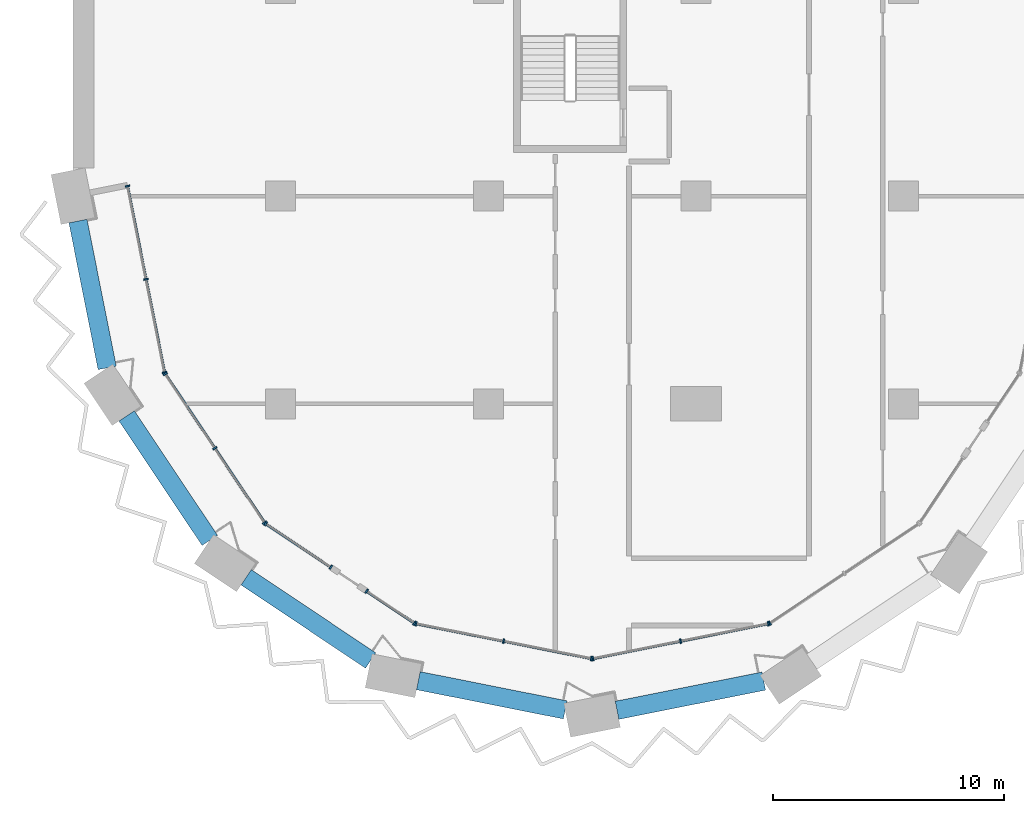
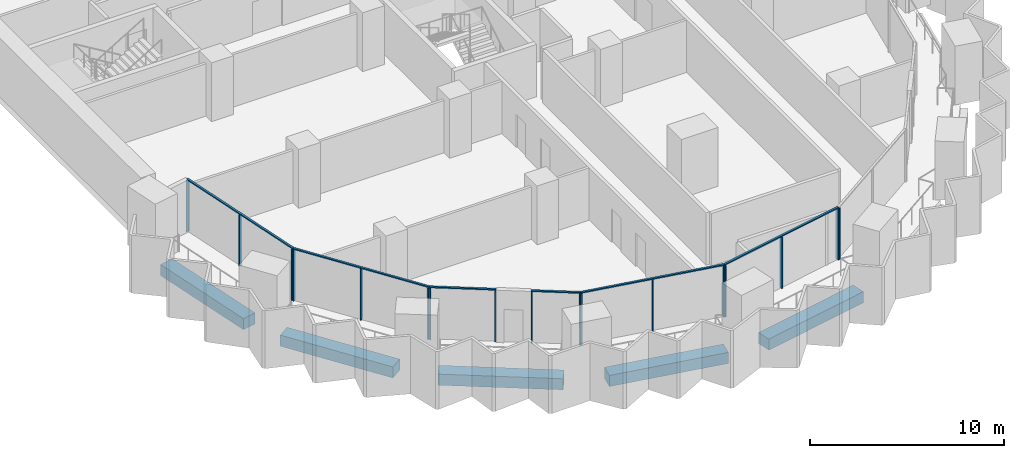
# One storey, part 2 of 23: 23 members, 5 beams, 7 elements without a shape of their own.
"""IFC4 building model written with IfcOpenShell, lengths in metres."""

from ifc_helpers import new_model, si_unit, direction, frame, origin, origin_2d, place, context, subcontext, project, spatial, rectangle, extrude, material, material_profile, profile_set, type_object, element, aggregate, save


model = new_model("IFC4")

# Units and contexts
model_context = context("Model", 3, precision=1e-05, world=origin(), true_north=direction((0.0, 1.0)))
body_context = subcontext(model_context, "Body", "Model", "MODEL_VIEW")
ifc_project = project(units=[si_unit("LENGTHUNIT", "METRE"), si_unit("AREAUNIT", "SQUARE_METRE"), si_unit("VOLUMEUNIT", "CUBIC_METRE"), si_unit("PLANEANGLEUNIT", "RADIAN"), si_unit("MASSUNIT", "GRAM", prefix="KILO")], contexts=[model_context])

# Site, building, storey
site_placement = place(None, origin())
site = spatial("IfcSite", under=ifc_project, at=site_placement, CompositionType="ELEMENT")
building_placement = place(site_placement, origin())
building = spatial("IfcBuilding", under=site, at=building_placement, Name="Hunhe Ridgeline Campus", CompositionType="ELEMENT")
storey_placement = place(building_placement, frame((0.0, 0.0, 99.60009765625)))
storey = spatial("IfcBuildingStorey", under=building, at=storey_placement, Name="L24", CompositionType="ELEMENT", Elevation=99.60009765625)

# Curtain wall, members
ifc_material_1 = material(Name="Aluminium 6063", Category="aluminium")
curtain_wall_type = type_object("IfcCurtainWallType", Name="Curtain wall CW-5", PredefinedType="NOTDEFINED", material=ifc_material_1)
curtain_wall_1_placement = place(storey_placement, origin())
curtain_wall_1 = element("IfcCurtainWall", 1, at=curtain_wall_1_placement, inside=storey, type_object=curtain_wall_type, Name="Curtain wall 01", PredefinedType="NOTDEFINED")
ifc_material_profile_1 = material_profile(ifc_material_1, rectangle(XDim=0.199951171875, YDim=0.070068359375, at=origin_2d()))
ifc_profile_set_1 = profile_set([ifc_material_profile_1], Name="Aluminium 6063")
member_type_1 = type_object("IfcMemberType", Name="CW-5 aluminium mullion", PredefinedType="MULLION", material=ifc_profile_set_1)
member_1_placement = place(storey_placement, frame((2.361572265625, 27.434326171875, 0.0), z_axis=(0.0, 0.0, 1.0), x_axis=(0.980784280831, 0.195095347137, 0.0)))
member_1 = element("IfcMember", 2, at=member_1_placement, type_object=member_type_1, Name="CW-5 mullion 1", PredefinedType="MULLION", context=body_context, shape_type="SweptSolid", body=[
    extrude(rectangle(XDim=0.199951171875, YDim=0.070068359375, at=origin_2d()), origin(), (0.0, 0.0, 1.0), 3.22998046875),
])
member_2_placement = place(storey_placement, frame((3.16455078125, 23.3974609375, 0.0), z_axis=(0.0, 0.0, 1.0), x_axis=(0.980784280831, 0.195095347137, 0.0)))
member_2 = element("IfcMember", 3, at=member_2_placement, type_object=member_type_1, Name="CW-5 mullion 2", PredefinedType="MULLION", context=body_context, shape_type="SweptSolid", body=[
    extrude(rectangle(XDim=0.199951171875, YDim=0.070068359375, at=origin_2d()), origin(), (0.0, 0.0, 1.0), 3.22998046875),
])
member_3_placement = place(storey_placement, frame((3.967529296875, 19.36083984375, 0.0), z_axis=(0.0, 0.0, 1.0), x_axis=(0.980784280831, 0.195095347137, 0.0)))
member_3 = element("IfcMember", 4, at=member_3_placement, type_object=member_type_1, Name="CW-5 mullion 3", PredefinedType="MULLION", context=body_context, shape_type="SweptSolid", body=[
    extrude(rectangle(XDim=0.199951171875, YDim=0.070068359375, at=origin_2d()), origin(), (0.0, 0.0, 1.0), 3.22998046875),
])

curtain_wall_2_placement = place(storey_placement, origin())
curtain_wall_2 = element("IfcCurtainWall", 5, at=curtain_wall_2_placement, inside=storey, type_object=curtain_wall_type, Name="Curtain wall 02", PredefinedType="NOTDEFINED")
member_4_placement = place(storey_placement, frame((3.993896484375, 19.29736328125, 0.0), z_axis=(0.0, 0.0, 1.0), x_axis=(0.831469584522, 0.555570274596, 0.0)))
member_4 = element("IfcMember", 6, at=member_4_placement, type_object=member_type_1, Name="CW-5 mullion 1", PredefinedType="MULLION", context=body_context, shape_type="SweptSolid", body=[
    extrude(rectangle(XDim=0.199951171875, YDim=0.070068359375, at=origin_2d()), origin(), (0.0, 0.0, 1.0), 3.22998046875),
])
member_5_placement = place(storey_placement, frame((6.147705078125, 16.07373046875, 0.0), z_axis=(0.0, 0.0, 1.0), x_axis=(0.831469584522, 0.555570274596, 0.0)))
member_5 = element("IfcMember", 7, at=member_5_placement, type_object=member_type_1, Name="CW-5 mullion 2", PredefinedType="MULLION", context=body_context, shape_type="SweptSolid", body=[
    extrude(rectangle(XDim=0.199951171875, YDim=0.070068359375, at=origin_2d()), origin(), (0.0, 0.0, 1.0), 3.22998046875),
])
member_6_placement = place(storey_placement, frame((8.3017578125, 12.850341796875, 0.0), z_axis=(0.0, 0.0, 1.0), x_axis=(0.831469584522, 0.555570274596, 0.0)))
member_6 = element("IfcMember", 8, at=member_6_placement, type_object=member_type_1, Name="CW-5 mullion 3", PredefinedType="MULLION", context=body_context, shape_type="SweptSolid", body=[
    extrude(rectangle(XDim=0.199951171875, YDim=0.070068359375, at=origin_2d()), origin(), (0.0, 0.0, 1.0), 3.22998046875),
])

curtain_wall_3_placement = place(storey_placement, origin())
curtain_wall_3 = element("IfcCurtainWall", 9, at=curtain_wall_3_placement, inside=storey, type_object=curtain_wall_type, Name="Curtain wall 03", PredefinedType="NOTDEFINED")
member_7_placement = place(storey_placement, frame((8.350341796875, 12.8017578125, 0.0), z_axis=(0.0, 0.0, 1.0), x_axis=(0.555570257501, 0.831469595944, 0.0)))
member_7 = element("IfcMember", 10, at=member_7_placement, type_object=member_type_1, Name="CW-5 mullion 1", PredefinedType="MULLION", context=body_context, shape_type="SweptSolid", body=[
    extrude(rectangle(XDim=0.199951171875, YDim=0.070068359375, at=origin_2d()), origin(), (0.0, 0.0, 1.0), 3.22998046875),
])
member_8_placement = place(storey_placement, frame((11.17041015625, 10.917236328125, 0.0), z_axis=(0.0, 0.0, 1.0), x_axis=(0.555570257501, 0.831469595944, 0.0)))
member_8 = element("IfcMember", 11, at=member_8_placement, type_object=member_type_1, Name="CW-5 mullion 2", PredefinedType="MULLION", context=body_context, shape_type="SweptSolid", body=[
    extrude(rectangle(XDim=0.199951171875, YDim=0.070068359375, at=origin_2d()), origin(), (0.0, 0.0, 1.0), 3.22998046875),
])

curtain_wall_4_placement = place(storey_placement, origin())
curtain_wall_4 = element("IfcCurtainWall", 12, at=curtain_wall_4_placement, inside=storey, type_object=curtain_wall_type, Name="Curtain wall 04", PredefinedType="NOTDEFINED")
member_9_placement = place(storey_placement, frame((12.725341796875, 9.87841796875, 0.0), z_axis=(0.0, 0.0, 1.0), x_axis=(0.555570385598, 0.831469510353, 0.0)))
member_9 = element("IfcMember", 13, at=member_9_placement, type_object=member_type_1, Name="CW-5 mullion 1", PredefinedType="MULLION", context=body_context, shape_type="SweptSolid", body=[
    extrude(rectangle(XDim=0.199951171875, YDim=0.070068359375, at=origin_2d()), origin(), (0.0, 0.0, 1.0), 3.22998046875),
])
member_10_placement = place(storey_placement, frame((14.79736328125, 8.493896484375, 0.0), z_axis=(0.0, 0.0, 1.0), x_axis=(0.555570385598, 0.831469510353, 0.0)))
member_10 = element("IfcMember", 14, at=member_10_placement, type_object=member_type_1, Name="CW-5 mullion 2", PredefinedType="MULLION", context=body_context, shape_type="SweptSolid", body=[
    extrude(rectangle(XDim=0.199951171875, YDim=0.070068359375, at=origin_2d()), origin(), (0.0, 0.0, 1.0), 3.22998046875),
])

curtain_wall_5_placement = place(storey_placement, origin())
curtain_wall_5 = element("IfcCurtainWall", 15, at=curtain_wall_5_placement, inside=storey, type_object=curtain_wall_type, Name="Curtain wall 05", PredefinedType="NOTDEFINED")
member_11_placement = place(storey_placement, frame((14.86083984375, 8.467529296875, 0.0), z_axis=(0.0, 0.0, 1.0), x_axis=(0.195090347539, 0.980785275326, 0.0)))
member_11 = element("IfcMember", 16, at=member_11_placement, type_object=member_type_1, Name="CW-5 mullion 1", PredefinedType="MULLION", context=body_context, shape_type="SweptSolid", body=[
    extrude(rectangle(XDim=0.199951171875, YDim=0.070068359375, at=origin_2d()), origin(), (0.0, 0.0, 1.0), 3.22998046875),
])
member_12_placement = place(storey_placement, frame((18.663330078125, 7.711181640625, 0.0), z_axis=(0.0, 0.0, 1.0), x_axis=(0.195090347539, 0.980785275326, 0.0)))
member_12 = element("IfcMember", 17, at=member_12_placement, type_object=member_type_1, Name="CW-5 mullion 2", PredefinedType="MULLION", context=body_context, shape_type="SweptSolid", body=[
    extrude(rectangle(XDim=0.199951171875, YDim=0.070068359375, at=origin_2d()), origin(), (0.0, 0.0, 1.0), 3.22998046875),
])
member_13_placement = place(storey_placement, frame((22.465576171875, 6.954833984375, 0.0), z_axis=(0.0, 0.0, 1.0), x_axis=(0.195090347539, 0.980785275326, 0.0)))
member_13 = element("IfcMember", 18, at=member_13_placement, type_object=member_type_1, Name="CW-5 mullion 3", PredefinedType="MULLION", context=body_context, shape_type="SweptSolid", body=[
    extrude(rectangle(XDim=0.199951171875, YDim=0.070068359375, at=origin_2d()), origin(), (0.0, 0.0, 1.0), 3.22998046875),
])

curtain_wall_6_placement = place(storey_placement, origin())
curtain_wall_6 = element("IfcCurtainWall", 19, at=curtain_wall_6_placement, inside=storey, type_object=curtain_wall_type, Name="Curtain wall 06", PredefinedType="NOTDEFINED")
member_14_placement = place(storey_placement, frame((22.534423828125, 6.954833984375, 0.0), z_axis=(0.0, 0.0, 1.0), x_axis=(-0.195090347539, 0.980785275326, 0.0)))
member_14 = element("IfcMember", 20, at=member_14_placement, type_object=member_type_1, Name="CW-5 mullion 1", PredefinedType="MULLION", context=body_context, shape_type="SweptSolid", body=[
    extrude(rectangle(XDim=0.199951171875, YDim=0.070068359375, at=origin_2d()), origin(), (0.0, 0.0, 1.0), 3.22998046875),
])
member_15_placement = place(storey_placement, frame((26.336669921875, 7.711181640625, 0.0), z_axis=(0.0, 0.0, 1.0), x_axis=(-0.195090347539, 0.980785275326, 0.0)))
member_15 = element("IfcMember", 21, at=member_15_placement, type_object=member_type_1, Name="CW-5 mullion 2", PredefinedType="MULLION", context=body_context, shape_type="SweptSolid", body=[
    extrude(rectangle(XDim=0.199951171875, YDim=0.070068359375, at=origin_2d()), origin(), (0.0, 0.0, 1.0), 3.22998046875),
])
member_16_placement = place(storey_placement, frame((30.13916015625, 8.467529296875, 0.0), z_axis=(0.0, 0.0, 1.0), x_axis=(-0.195090347539, 0.980785275326, 0.0)))
member_16 = element("IfcMember", 22, at=member_16_placement, type_object=member_type_1, Name="CW-5 mullion 3", PredefinedType="MULLION", context=body_context, shape_type="SweptSolid", body=[
    extrude(rectangle(XDim=0.199951171875, YDim=0.070068359375, at=origin_2d()), origin(), (0.0, 0.0, 1.0), 3.22998046875),
])

# Curtain wall, member
curtain_wall_7_placement = place(storey_placement, origin())
curtain_wall_7 = element("IfcCurtainWall", 23, at=curtain_wall_7_placement, inside=storey, type_object=curtain_wall_type, Name="Curtain wall 07", PredefinedType="NOTDEFINED")
member_17_placement = place(storey_placement, frame((30.20263671875, 8.493896484375, 0.0), z_axis=(0.0, 0.0, 1.0), x_axis=(-0.555570274596, 0.831469584522, 0.0)))
member_17 = element("IfcMember", 24, at=member_17_placement, type_object=member_type_1, Name="CW-5 mullion 1", PredefinedType="MULLION", context=body_context, shape_type="SweptSolid", body=[
    extrude(rectangle(XDim=0.199951171875, YDim=0.070068359375, at=origin_2d()), origin(), (0.0, 0.0, 1.0), 3.22998046875),
])
aggregate(curtain_wall_7, [member_17])

# Member
ifc_material_profile_2 = material_profile(ifc_material_1, rectangle(XDim=0.1201171875, YDim=0.070068359375, at=origin_2d()))
ifc_profile_set_2 = profile_set([ifc_material_profile_2], Name="Aluminium 6063")
member_type_2 = type_object("IfcMemberType", Name="CW-5 aluminium transom", PredefinedType="USERDEFINED", material=ifc_profile_set_2)
member_18_placement = place(storey_placement, frame((2.354736328125, 27.46875, 3.264892578125), z_axis=(0.195092405068, -0.980784866056, 0.0), x_axis=(0.980784866056, 0.195092405068, 0.0)))
member_18 = element("IfcMember", 25, at=member_18_placement, type_object=member_type_2, Name="CW-5 transom 1", ObjectType="TRANSOM", PredefinedType="USERDEFINED", context=body_context, shape_type="SweptSolid", body=[
    extrude(rectangle(XDim=0.1201171875, YDim=0.070068359375, at=origin_2d()), origin(), (0.0, 0.0, 1.0), 8.3017578125),
])

aggregate(curtain_wall_1, [member_18, member_1, member_2, member_3])

member_19_placement = place(storey_placement, frame((3.974365234375, 19.326416015625, 3.264892578125), z_axis=(0.5555640203, -0.831473763475, 0.0), x_axis=(0.831473763475, 0.5555640203, 0.0)))
member_19 = element("IfcMember", 26, at=member_19_placement, type_object=member_type_2, Name="CW-5 transom 1", ObjectType="TRANSOM", PredefinedType="USERDEFINED", context=body_context, shape_type="SweptSolid", body=[
    extrude(rectangle(XDim=0.1201171875, YDim=0.070068359375, at=origin_2d()), origin(), (0.0, 0.0, 1.0), 7.823974609375),
])

aggregate(curtain_wall_2, [member_19, member_4, member_5, member_6])

member_20_placement = place(storey_placement, frame((8.321044921875, 12.821044921875, 3.264892578125), z_axis=(0.831485714606, -0.555546133463, 0.0), x_axis=(0.555546133463, 0.831485714606, 0.0)))
member_20 = element("IfcMember", 27, at=member_20_placement, type_object=member_type_2, Name="CW-5 transom 1", ObjectType="TRANSOM", PredefinedType="USERDEFINED", context=body_context, shape_type="SweptSolid", body=[
    extrude(rectangle(XDim=0.1201171875, YDim=0.070068359375, at=origin_2d()), origin(), (0.0, 0.0, 1.0), 3.462158203125),
])

aggregate(curtain_wall_3, [member_20, member_7, member_8])

member_21_placement = place(storey_placement, frame((12.6962890625, 9.897705078125, 3.264892578125), z_axis=(0.831463388334, -0.555579547735, 0.0), x_axis=(0.555579547735, 0.831463388334, 0.0)))
member_21 = element("IfcMember", 28, at=member_21_placement, type_object=member_type_2, Name="CW-5 transom 1", ObjectType="TRANSOM", PredefinedType="USERDEFINED", context=body_context, shape_type="SweptSolid", body=[
    extrude(rectangle(XDim=0.1201171875, YDim=0.070068359375, at=origin_2d()), origin(), (0.0, 0.0, 1.0), 2.56201171875),
])

aggregate(curtain_wall_4, [member_21, member_9, member_10])

member_22_placement = place(storey_placement, frame((14.826416015625, 8.474365234375, 3.264892578125), z_axis=(0.980785367689, -0.195089883198, 0.0), x_axis=(0.195089883198, 0.980785367689, 0.0)))
member_22 = element("IfcMember", 29, at=member_22_placement, type_object=member_type_2, Name="CW-5 transom 1", ObjectType="TRANSOM", PredefinedType="USERDEFINED", context=body_context, shape_type="SweptSolid", body=[
    extrude(rectangle(XDim=0.1201171875, YDim=0.070068359375, at=origin_2d()), origin(), (0.0, 0.0, 1.0), 7.823974609375),
])

aggregate(curtain_wall_5, [member_22, member_11, member_12, member_13])

member_23_placement = place(storey_placement, frame((22.5, 6.947998046875, 3.264892578125), z_axis=(0.980785367689, 0.195089883198, 0.0), x_axis=(-0.195089883198, 0.980785367689, 0.0)))
member_23 = element("IfcMember", 30, at=member_23_placement, type_object=member_type_2, Name="CW-5 transom 1", ObjectType="TRANSOM", PredefinedType="USERDEFINED", context=body_context, shape_type="SweptSolid", body=[
    extrude(rectangle(XDim=0.1201171875, YDim=0.070068359375, at=origin_2d()), origin(), (0.0, 0.0, 1.0), 7.823974609375),
])

aggregate(curtain_wall_6, [member_23, member_14, member_15, member_16])

# Beams
ifc_material_2 = material(Name="Concrete C60", Category="concrete")
ifc_material_profile_3 = material_profile(ifc_material_2, rectangle(XDim=0.800048828125, YDim=0.699951171875, at=origin_2d()))
ifc_profile_set_3 = profile_set([ifc_material_profile_3], Name="Concrete C60")
beam_type = type_object("IfcBeamType", Name="RC spandrel beam 800x700 Concrete C60", PredefinedType="SPANDREL", material=ifc_profile_set_3)
for number, where, z_axis, x_axis, name in (
    (31, (0.214599609375, 25.921142578125, -0.60009765625), (0.195095759636, -0.980784198778, 0.0), (0.980784198778, 0.195095759636, 0.0), "Spandrel beam B1-1 L24"),
    (32, (2.32373046875, 17.47509765625, -0.60009765625), (0.555585540178, -0.831459384183, 0.0), (0.831459384183, 0.555585540178, 0.0), "Spandrel beam B1-2 L24"),
    (33, (7.504638671875, 10.47900390625, -0.60009765625), (0.831476765351, -0.555559527577, 0.0), (0.555559527577, 0.831476765351, 0.0), "Spandrel beam B1-3 L24"),
    (34, (14.968505859375, 5.998046875, -0.60009765625), (0.980784198778, -0.195095759636, 0.0), (0.195095759636, 0.980784198778, 0.0), "Spandrel beam B1-4 L24"),
    (35, (23.578857421875, 4.714599609375, -0.60009765625), (0.980784198778, 0.195095759636, 0.0), (-0.195095759636, 0.980784198778, 0.0), "Spandrel beam B1-5 L24"),
):
    element("IfcBeam", number, at=place(storey_placement, frame(where, z_axis=z_axis, x_axis=x_axis)), inside=storey, type_object=beam_type, Name=name, PredefinedType="SPANDREL", context=body_context, shape_type="SweptSolid", body=[
        extrude(rectangle(XDim=0.800048828125, YDim=0.699951171875, at=origin_2d()), origin(), (0.0, 0.0, 1.0), 6.488525390625),
    ])

save(model, "model.ifc")
